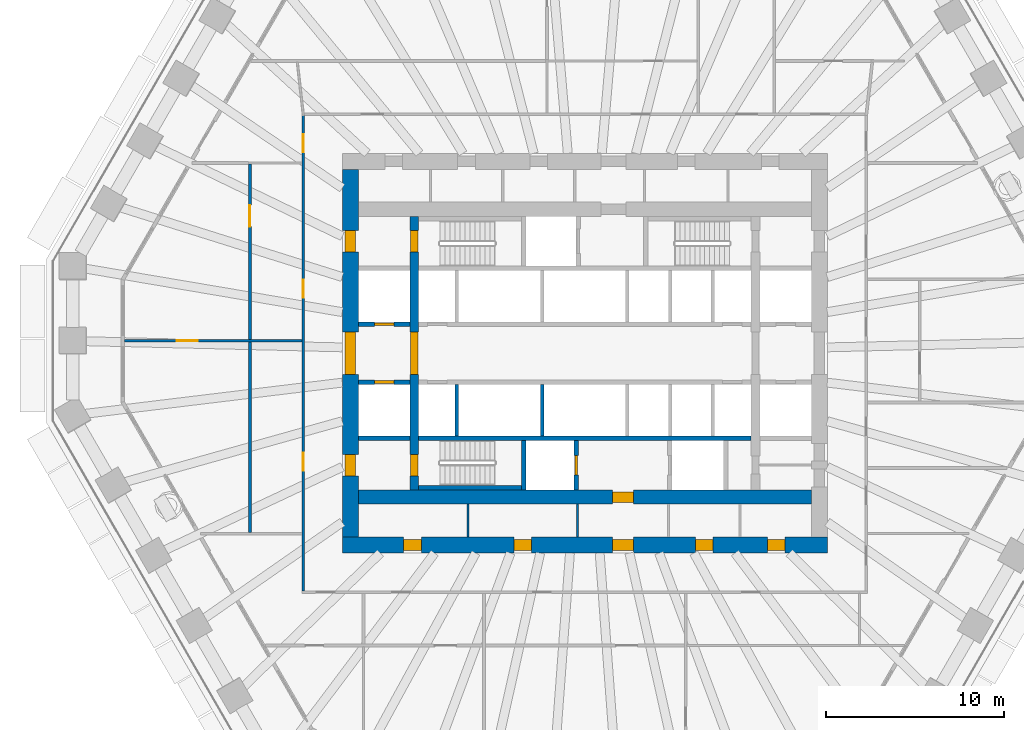
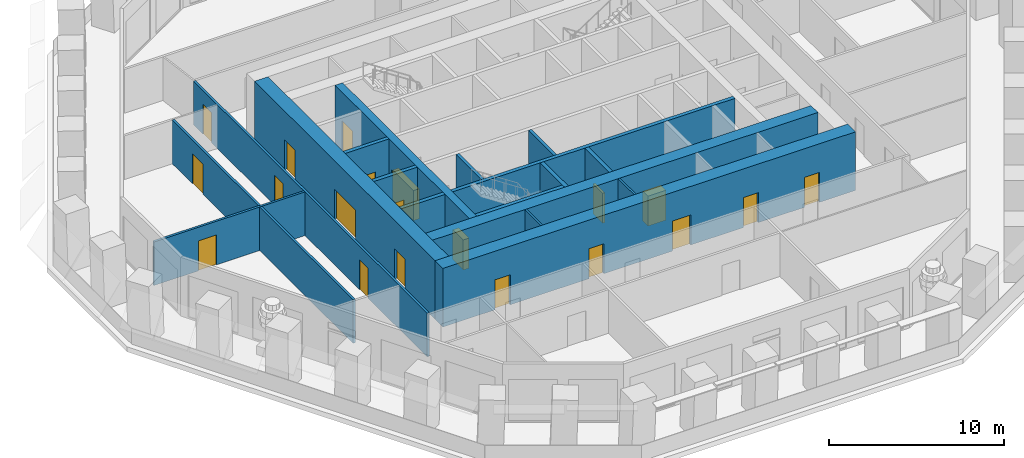
# One storey, part 4 of 13: 20 doors, 18 walls, 20 openings.
"""IFC4 building model written with IfcOpenShell, lengths in metres."""

from ifc_helpers import new_model, si_unit, direction, frame, frame_2d, origin, place, context, subcontext, project, spatial, rectangle, extrude, material, layer, layer_set, type_object, element, fill, save


model = new_model("IFC4")

# Units and contexts
model_context = context("Model", 3, precision=1e-05, world=origin(), true_north=direction((0.0, 1.0)))
body_context = subcontext(model_context, "Body", "Model", "MODEL_VIEW")
ifc_project = project(units=[si_unit("LENGTHUNIT", "METRE"), si_unit("AREAUNIT", "SQUARE_METRE"), si_unit("VOLUMEUNIT", "CUBIC_METRE"), si_unit("PLANEANGLEUNIT", "RADIAN"), si_unit("MASSUNIT", "GRAM", prefix="KILO")], contexts=[model_context])

# Site, building, storey
site_placement = place(None, origin())
site = spatial("IfcSite", under=ifc_project, at=site_placement, CompositionType="ELEMENT")
building_placement = place(site_placement, origin())
building = spatial("IfcBuilding", under=site, at=building_placement, Name="Frailejon Research Tower", CompositionType="ELEMENT")
storey_placement = place(building_placement, frame((0.0, 0.0, 36.60009765625)))
storey = spatial("IfcBuildingStorey", under=building, at=storey_placement, Name="L08", CompositionType="ELEMENT", Elevation=36.60009765625)

# Walls
ifc_material_1 = material(Name="Plasterboard on steel studs", Category="steel")
ifc_layer_1 = layer(ifc_material_1, 0.125)
ifc_layer_set_1 = layer_set([ifc_layer_1], Name="Core partition 125")
wall_type_1 = type_object("IfcWallType", Name="Core partition 125", PredefinedType="PARTITIONING", material=ifc_layer_set_1)
for number, where, z_axis, x_axis, name in (
    (1, (-6.581298828125, -10.35009765625, 0.0), (0.0, 0.0, 1.0), (0.0, 1.0, 0.0), "Core partition"),
    (2, (-0.41259765625, -10.35009765625, 0.0), (0.0, 0.0, 1.0), (0.0, 1.0, 0.0), "Core partition"),
):
    element("IfcWall", number, at=place(storey_placement, frame(where, z_axis=z_axis, x_axis=x_axis)), inside=storey, type_object=wall_type_1, Name=name, PredefinedType="PARTITIONING", context=body_context, shape_type="SweptSolid", body=[
        extrude(rectangle(XDim=1.85009765625, YDim=0.125, at=frame_2d((0.925048828125, 0.0))), origin(), (0.0, 0.0, 1.0), 4.099853515625),
    ])

# Wall, openings, doors
ifc_material_2 = material(Name="Concrete C70/85", Category="concrete")
ifc_layer_2 = layer(ifc_material_2, 0.5)
ifc_layer_set_2 = layer_set([ifc_layer_2], Name="Core shear wall 500 C70/85")
wall_type_2 = type_object("IfcWallType", Name="Core shear wall 500 C70/85", PredefinedType="SHEAR", material=ifc_layer_set_2)
wall_1_placement = place(storey_placement, frame((-9.60009765625, -7.699951171875, 0.0), z_axis=(0.0, 0.0, 1.0), x_axis=(0.0, 1.0, 0.0)))
wall_1 = element("IfcWall", 3, at=wall_1_placement, inside=storey, type_object=wall_type_2, Name="Core shear wall", PredefinedType="SHEAR", context=body_context, shape_type="SweptSolid", body=[
    extrude(rectangle(XDim=15.39990234375, YDim=0.5, at=frame_2d((7.699951171875, 0.0))), origin(), (0.0, 0.0, 1.0), 4.099853515625),
])
opening_1_placement = place(wall_1_placement, frame((6.5, 0.0, 0.0)))
opening_1 = element("IfcOpeningElement", 4, at=opening_1_placement, cuts=wall_1, Name="Opening D2", PredefinedType="OPENING", context=body_context, shape_type="SweptSolid", body=[
    extrude(rectangle(XDim=2.39990234375, YDim=2.10009765625, at=frame_2d((1.199951171875, 1.050048828125))), frame((0.0, 0.260009765625, 0.0), z_axis=(0.0, -1.0, 0.0), x_axis=(1.0, 0.0, 0.0)), (0.0, 0.0, 1.0), 0.52001953125),
])
opening_2_placement = place(wall_1_placement, frame((13.39990234375, 0.0, 0.0)))
opening_2 = element("IfcOpeningElement", 5, at=opening_2_placement, cuts=wall_1, Name="Opening D1", PredefinedType="OPENING", context=body_context, shape_type="SweptSolid", body=[
    extrude(rectangle(XDim=1.199951171875, YDim=2.10009765625, at=frame_2d((0.60009765625, 1.050048828125))), frame((0.0, 0.260009765625, 0.0), z_axis=(0.0, -1.0, 0.0), x_axis=(1.0, 0.0, 0.0)), (0.0, 0.0, 1.0), 0.52001953125),
])
opening_3_placement = place(wall_1_placement, frame((0.800048828125, 0.0, 0.0)))
opening_3 = element("IfcOpeningElement", 6, at=opening_3_placement, cuts=wall_1, Name="Opening D1", PredefinedType="OPENING", context=body_context, shape_type="SweptSolid", body=[
    extrude(rectangle(XDim=1.199951171875, YDim=2.10009765625, at=frame_2d((0.60009765625, 1.050048828125))), frame((0.0, 0.260009765625, 0.0), z_axis=(0.0, -1.0, 0.0), x_axis=(1.0, 0.0, 0.0)), (0.0, 0.0, 1.0), 0.52001953125),
])
ifc_material_3 = material(Name="Steel", Category="steel")
door_type_1 = type_object("IfcDoorType", Name="Lobby double door", OperationType="DOUBLE_DOOR_SINGLE_SWING", PredefinedType="DOOR", material=ifc_material_3)
door_1_placement = place(opening_1_placement, origin())
door_1 = element("IfcDoor", 7, at=door_1_placement, inside=storey, type_object=door_type_1, Name="Lobby door", OperationType="DOUBLE_DOOR_SINGLE_SWING", OverallHeight=2.10009765625, OverallWidth=2.39990234375, PredefinedType="DOOR", context=body_context, shape_type="SweptSolid", body=[
    extrude(rectangle(XDim=2.39990234375, YDim=2.10009765625, at=frame_2d((1.199951171875, 1.050048828125))), frame((0.0, 0.199951171875, 0.0), z_axis=(0.0, -1.0, 0.0), x_axis=(1.0, 0.0, 0.0)), (0.0, 0.0, 1.0), 0.39990234375),
])
fill(opening_1, door_1)
ifc_material_4 = material(Name="Steel", Category="steel")
door_type_2 = type_object("IfcDoorType", Name="Stair door", OperationType="SINGLE_SWING_LEFT", PredefinedType="DOOR", material=ifc_material_4)
door_2_placement = place(opening_2_placement, origin())
door_2 = element("IfcDoor", 8, at=door_2_placement, inside=storey, type_object=door_type_2, Name="Stair door ST1", OperationType="SINGLE_SWING_RIGHT", OverallHeight=2.10009765625, OverallWidth=1.199951171875, PredefinedType="DOOR", context=body_context, shape_type="SweptSolid", body=[
    extrude(rectangle(XDim=1.199951171875, YDim=2.10009765625, at=frame_2d((0.60009765625, 1.050048828125))), frame((0.0, 0.199951171875, 0.0), z_axis=(0.0, -1.0, 0.0), x_axis=(1.0, 0.0, 0.0)), (0.0, 0.0, 1.0), 0.39990234375),
])
fill(opening_2, door_2)
door_3_placement = place(opening_3_placement, origin())
door_3 = element("IfcDoor", 9, at=door_3_placement, inside=storey, type_object=door_type_2, Name="Stair door ST2", OperationType="SINGLE_SWING_RIGHT", OverallHeight=2.10009765625, OverallWidth=1.199951171875, PredefinedType="DOOR", context=body_context, shape_type="SweptSolid", body=[
    extrude(rectangle(XDim=1.199951171875, YDim=2.10009765625, at=frame_2d((0.60009765625, 1.050048828125))), frame((0.0, 0.199951171875, 0.0), z_axis=(0.0, -1.0, 0.0), x_axis=(1.0, 0.0, 0.0)), (0.0, 0.0, 1.0), 0.39990234375),
])
fill(opening_3, door_3)

# Wall, opening, door
ifc_material_5 = material(Name="Concrete C70/85", Category="concrete")
ifc_layer_3 = layer(ifc_material_5, 0.800048828125)
ifc_layer_set_3 = layer_set([ifc_layer_3], Name="Core shear wall 800 C70/85")
wall_type_3 = type_object("IfcWallType", Name="Core shear wall 800 C70/85", PredefinedType="SHEAR", material=ifc_layer_set_3)
wall_2_placement = place(storey_placement, frame((-12.75, -8.10009765625, 0.0), z_axis=(0.0, 0.0, 1.0), x_axis=(1.0, 0.0, 0.0)))
wall_2 = element("IfcWall", 10, at=wall_2_placement, inside=storey, type_object=wall_type_3, Name="Core shear wall", PredefinedType="SHEAR", context=body_context, shape_type="SweptSolid", body=[
    extrude(rectangle(XDim=25.5, YDim=0.800048828125, at=frame_2d((12.75, 0.0))), origin(), (0.0, 0.0, 1.0), 4.099853515625),
])
opening_4_placement = place(wall_2_placement, frame((14.300048828125, 0.0, 0.0)))
opening_4 = element("IfcOpeningElement", 11, at=opening_4_placement, cuts=wall_2, Name="Opening D3", PredefinedType="OPENING", context=body_context, shape_type="SweptSolid", body=[
    extrude(rectangle(XDim=1.199951171875, YDim=2.10009765625, at=frame_2d((0.60009765625, 1.050048828125))), frame((0.0, 0.409912109375, 0.0), z_axis=(0.0, -1.0, 0.0), x_axis=(1.0, 0.0, 0.0)), (0.0, 0.0, 1.0), 0.820068359375),
])
ifc_material_6 = material(Name="Steel", Category="steel")
door_type_3 = type_object("IfcDoorType", Name="Firefighting lobby door", OperationType="SINGLE_SWING_LEFT", PredefinedType="DOOR", material=ifc_material_6)
door_4_placement = place(opening_4_placement, origin())
door_4 = element("IfcDoor", 12, at=door_4_placement, inside=storey, type_object=door_type_3, Name="Firefighting lobby door", OperationType="SINGLE_SWING_RIGHT", OverallHeight=2.10009765625, OverallWidth=1.199951171875, PredefinedType="DOOR", context=body_context, shape_type="SweptSolid", body=[
    extrude(rectangle(XDim=1.199951171875, YDim=2.10009765625, at=frame_2d((0.60009765625, 1.050048828125))), frame((0.0, 0.300048828125, 0.0), z_axis=(0.0, -1.0, 0.0), x_axis=(1.0, 0.0, 0.0)), (0.0, 0.0, 1.0), 0.60009765625),
])
fill(opening_4, door_4)

# Wall, openings, doors
ifc_material_7 = material(Name="Concrete C70/85", Category="concrete")
ifc_layer_4 = layer(ifc_material_7, 0.89990234375)
ifc_layer_set_4 = layer_set([ifc_layer_4], Name="Core shear wall 900 C70/85")
wall_type_4 = type_object("IfcWallType", Name="Core shear wall 900 C70/85", PredefinedType="SHEAR", material=ifc_layer_set_4)
wall_3_placement = place(storey_placement, frame((-13.64990234375, -10.800048828125, 0.0), z_axis=(0.0, 0.0, 1.0), x_axis=(1.0, 0.0, 0.0)))
wall_3 = element("IfcWall", 13, at=wall_3_placement, inside=storey, type_object=wall_type_4, Name="Core shear wall", PredefinedType="SHEAR", context=body_context, shape_type="SweptSolid", body=[
    extrude(rectangle(XDim=27.2998046875, YDim=0.89990234375, at=frame_2d((13.64990234375, 0.0))), origin(), (0.0, 0.0, 1.0), 4.099853515625),
])
opening_5_placement = place(wall_3_placement, frame((3.453125, 0.0, 0.0)))
opening_5 = element("IfcOpeningElement", 14, at=opening_5_placement, cuts=wall_3, Name="Opening D4", PredefinedType="OPENING", context=body_context, shape_type="SweptSolid", body=[
    extrude(rectangle(XDim=1.0, YDim=2.10009765625, at=frame_2d((0.5, 1.050048828125))), frame((0.0, 0.4599609375, 0.0), z_axis=(0.0, -1.0, 0.0), x_axis=(1.0, 0.0, 0.0)), (0.0, 0.0, 1.0), 0.919921875),
])
opening_6_placement = place(wall_3_placement, frame((9.653076171875, 0.0, 0.0)))
opening_6 = element("IfcOpeningElement", 15, at=opening_6_placement, cuts=wall_3, Name="Opening D4", PredefinedType="OPENING", context=body_context, shape_type="SweptSolid", body=[
    extrude(rectangle(XDim=1.0, YDim=2.10009765625, at=frame_2d((0.5, 1.050048828125))), frame((0.0, 0.4599609375, 0.0), z_axis=(0.0, -1.0, 0.0), x_axis=(1.0, 0.0, 0.0)), (0.0, 0.0, 1.0), 0.919921875),
])
opening_7_placement = place(wall_3_placement, frame((19.871826171875, 0.0, 0.0)))
opening_7 = element("IfcOpeningElement", 16, at=opening_7_placement, cuts=wall_3, Name="Opening D4", PredefinedType="OPENING", context=body_context, shape_type="SweptSolid", body=[
    extrude(rectangle(XDim=1.0, YDim=2.10009765625, at=frame_2d((0.5, 1.050048828125))), frame((0.0, 0.4599609375, 0.0), z_axis=(0.0, -1.0, 0.0), x_axis=(1.0, 0.0, 0.0)), (0.0, 0.0, 1.0), 0.919921875),
])
opening_8_placement = place(wall_3_placement, frame((23.921875, 0.0, 0.0)))
opening_8 = element("IfcOpeningElement", 17, at=opening_8_placement, cuts=wall_3, Name="Opening D4", PredefinedType="OPENING", context=body_context, shape_type="SweptSolid", body=[
    extrude(rectangle(XDim=1.0, YDim=2.10009765625, at=frame_2d((0.5, 1.050048828125))), frame((0.0, 0.4599609375, 0.0), z_axis=(0.0, -1.0, 0.0), x_axis=(1.0, 0.0, 0.0)), (0.0, 0.0, 1.0), 0.919921875),
])
opening_9_placement = place(wall_3_placement, frame((15.199951171875, 0.0, 0.0)))
opening_9 = element("IfcOpeningElement", 18, at=opening_9_placement, cuts=wall_3, Name="Opening D3", PredefinedType="OPENING", context=body_context, shape_type="SweptSolid", body=[
    extrude(rectangle(XDim=1.199951171875, YDim=2.10009765625, at=frame_2d((0.60009765625, 1.050048828125))), frame((0.0, 0.4599609375, 0.0), z_axis=(0.0, -1.0, 0.0), x_axis=(1.0, 0.0, 0.0)), (0.0, 0.0, 1.0), 0.919921875),
])
door_5_placement = place(opening_9_placement, origin())
door_5 = element("IfcDoor", 19, at=door_5_placement, inside=storey, type_object=door_type_3, Name="Passage door", OperationType="SINGLE_SWING_LEFT", OverallHeight=2.10009765625, OverallWidth=1.199951171875, PredefinedType="DOOR", context=body_context, shape_type="SweptSolid", body=[
    extrude(rectangle(XDim=1.199951171875, YDim=2.10009765625, at=frame_2d((0.60009765625, 1.050048828125))), frame((0.0, 0.300048828125, 0.0), z_axis=(0.0, -1.0, 0.0), x_axis=(1.0, 0.0, 0.0)), (0.0, 0.0, 1.0), 0.60009765625),
])
fill(opening_9, door_5)
ifc_material_8 = material(Name="Steel", Category="steel")
door_type_4 = type_object("IfcDoorType", Name="Service door", OperationType="SINGLE_SWING_LEFT", PredefinedType="DOOR", material=ifc_material_8)
door_6_placement = place(opening_5_placement, origin())
door_6 = element("IfcDoor", 20, at=door_6_placement, inside=storey, type_object=door_type_4, Name="Room door", OperationType="SINGLE_SWING_LEFT", OverallHeight=2.10009765625, OverallWidth=1.0, PredefinedType="DOOR", context=body_context, shape_type="SweptSolid", body=[
    extrude(rectangle(XDim=1.0, YDim=2.10009765625, at=frame_2d((0.5, 1.050048828125))), frame((0.0, 0.300048828125, 0.0), z_axis=(0.0, -1.0, 0.0), x_axis=(1.0, 0.0, 0.0)), (0.0, 0.0, 1.0), 0.60009765625),
])
fill(opening_5, door_6)
door_7_placement = place(opening_6_placement, origin())
door_7 = element("IfcDoor", 21, at=door_7_placement, inside=storey, type_object=door_type_4, Name="Room door", OperationType="SINGLE_SWING_RIGHT", OverallHeight=2.10009765625, OverallWidth=1.0, PredefinedType="DOOR", context=body_context, shape_type="SweptSolid", body=[
    extrude(rectangle(XDim=1.0, YDim=2.10009765625, at=frame_2d((0.5, 1.050048828125))), frame((0.0, 0.300048828125, 0.0), z_axis=(0.0, -1.0, 0.0), x_axis=(1.0, 0.0, 0.0)), (0.0, 0.0, 1.0), 0.60009765625),
])
fill(opening_6, door_7)
door_8_placement = place(opening_7_placement, origin())
door_8 = element("IfcDoor", 22, at=door_8_placement, inside=storey, type_object=door_type_4, Name="Room door", OperationType="SINGLE_SWING_LEFT", OverallHeight=2.10009765625, OverallWidth=1.0, PredefinedType="DOOR", context=body_context, shape_type="SweptSolid", body=[
    extrude(rectangle(XDim=1.0, YDim=2.10009765625, at=frame_2d((0.5, 1.050048828125))), frame((0.0, 0.300048828125, 0.0), z_axis=(0.0, -1.0, 0.0), x_axis=(1.0, 0.0, 0.0)), (0.0, 0.0, 1.0), 0.60009765625),
])
fill(opening_7, door_8)
door_9_placement = place(opening_8_placement, origin())
door_9 = element("IfcDoor", 23, at=door_9_placement, inside=storey, type_object=door_type_4, Name="Room door", OperationType="SINGLE_SWING_RIGHT", OverallHeight=2.10009765625, OverallWidth=1.0, PredefinedType="DOOR", context=body_context, shape_type="SweptSolid", body=[
    extrude(rectangle(XDim=1.0, YDim=2.10009765625, at=frame_2d((0.5, 1.050048828125))), frame((0.0, 0.300048828125, 0.0), z_axis=(0.0, -1.0, 0.0), x_axis=(1.0, 0.0, 0.0)), (0.0, 0.0, 1.0), 0.60009765625),
])
fill(opening_8, door_9)

wall_4_placement = place(storey_placement, frame((-13.199951171875, -10.35009765625, 0.0), z_axis=(0.0, 0.0, 1.0), x_axis=(0.0, 1.0, 0.0)))
wall_4 = element("IfcWall", 24, at=wall_4_placement, inside=storey, type_object=wall_type_4, Name="Core shear wall", PredefinedType="SHEAR", context=body_context, shape_type="SweptSolid", body=[
    extrude(rectangle(XDim=20.7001953125, YDim=0.89990234375, at=frame_2d((10.35009765625, 0.0))), origin(), (0.0, 0.0, 1.0), 4.099853515625),
])
opening_10_placement = place(wall_4_placement, frame((9.14990234375, 0.0, 0.0)))
opening_10 = element("IfcOpeningElement", 25, at=opening_10_placement, cuts=wall_4, Name="Opening D2", PredefinedType="OPENING", context=body_context, shape_type="SweptSolid", body=[
    extrude(rectangle(XDim=2.39990234375, YDim=2.10009765625, at=frame_2d((1.199951171875, 1.050048828125))), frame((0.0, 0.4599609375, 0.0), z_axis=(0.0, -1.0, 0.0), x_axis=(1.0, 0.0, 0.0)), (0.0, 0.0, 1.0), 0.919921875),
])
opening_11_placement = place(wall_4_placement, frame((16.050048828125, 0.0, 0.0)))
opening_11 = element("IfcOpeningElement", 26, at=opening_11_placement, cuts=wall_4, Name="Opening D7", PredefinedType="OPENING", context=body_context, shape_type="SweptSolid", body=[
    extrude(rectangle(XDim=1.199951171875, YDim=2.10009765625, at=frame_2d((0.60009765625, 1.050048828125))), frame((0.0, 0.4599609375, 0.0), z_axis=(0.0, -1.0, 0.0), x_axis=(1.0, 0.0, 0.0)), (0.0, 0.0, 1.0), 0.919921875),
])
opening_12_placement = place(wall_4_placement, frame((3.449951171875, 0.0, 0.0)))
opening_12 = element("IfcOpeningElement", 27, at=opening_12_placement, cuts=wall_4, Name="Opening D7", PredefinedType="OPENING", context=body_context, shape_type="SweptSolid", body=[
    extrude(rectangle(XDim=1.199951171875, YDim=2.10009765625, at=frame_2d((0.60009765625, 1.050048828125))), frame((0.0, 0.4599609375, 0.0), z_axis=(0.0, -1.0, 0.0), x_axis=(1.0, 0.0, 0.0)), (0.0, 0.0, 1.0), 0.919921875),
])
door_10_placement = place(opening_10_placement, origin())
door_10 = element("IfcDoor", 28, at=door_10_placement, inside=storey, type_object=door_type_1, Name="Lobby door", OperationType="DOUBLE_DOOR_SINGLE_SWING", OverallHeight=2.10009765625, OverallWidth=2.39990234375, PredefinedType="DOOR", context=body_context, shape_type="SweptSolid", body=[
    extrude(rectangle(XDim=2.39990234375, YDim=2.10009765625, at=frame_2d((1.199951171875, 1.050048828125))), frame((0.0, 0.300048828125, 0.0), z_axis=(0.0, -1.0, 0.0), x_axis=(1.0, 0.0, 0.0)), (0.0, 0.0, 1.0), 0.60009765625),
])
fill(opening_10, door_10)
ifc_material_9 = material(Name="Steel", Category="steel")
door_type_5 = type_object("IfcDoorType", Name="Stair exit door", OperationType="SINGLE_SWING_LEFT", PredefinedType="DOOR", material=ifc_material_9)
door_11_placement = place(opening_11_placement, origin())
door_11 = element("IfcDoor", 29, at=door_11_placement, inside=storey, type_object=door_type_5, Name="Stair exit door ST1", OperationType="SINGLE_SWING_LEFT", OverallHeight=2.10009765625, OverallWidth=1.199951171875, PredefinedType="DOOR", context=body_context, shape_type="SweptSolid", body=[
    extrude(rectangle(XDim=1.199951171875, YDim=2.10009765625, at=frame_2d((0.60009765625, 1.050048828125))), frame((0.0, 0.300048828125, 0.0), z_axis=(0.0, -1.0, 0.0), x_axis=(1.0, 0.0, 0.0)), (0.0, 0.0, 1.0), 0.60009765625),
])
fill(opening_11, door_11)
door_12_placement = place(opening_12_placement, origin())
door_12 = element("IfcDoor", 30, at=door_12_placement, inside=storey, type_object=door_type_5, Name="Stair exit door ST2", OperationType="SINGLE_SWING_LEFT", OverallHeight=2.10009765625, OverallWidth=1.199951171875, PredefinedType="DOOR", context=body_context, shape_type="SweptSolid", body=[
    extrude(rectangle(XDim=1.199951171875, YDim=2.10009765625, at=frame_2d((0.60009765625, 1.050048828125))), frame((0.0, 0.300048828125, 0.0), z_axis=(0.0, -1.0, 0.0), x_axis=(1.0, 0.0, 0.0)), (0.0, 0.0, 1.0), 0.60009765625),
])
fill(opening_12, door_12)

ifc_material_10 = material(Name="Gypsum board and masonry partition", Category="masonry")
ifc_layer_5 = layer(ifc_material_10, 0.14990234375)
ifc_layer_set_5 = layer_set([ifc_layer_5], Name="Corridor wall EI 60, gypsum on steel studs 150")
wall_type_5 = type_object("IfcWallType", Name="Corridor wall EI 60, gypsum on steel studs 150", PredefinedType="PARTITIONING", material=ifc_layer_set_5)
wall_5_placement = place(storey_placement, frame((-15.85009765625, -13.375, 0.0), z_axis=(0.0, 0.0, 1.0), x_axis=(0.0, 1.0, 0.0)))
wall_5 = element("IfcWall", 31, at=wall_5_placement, inside=storey, type_object=wall_type_5, Name="T:IW:L08:003", PredefinedType="PARTITIONING", context=body_context, shape_type="SweptSolid", body=[
    extrude(rectangle(XDim=26.77490234375, YDim=0.14990234375, at=frame_2d((13.387451171875, 0.0))), origin(), (0.0, 0.0, 1.0), 3.0498046875),
])
opening_13_placement = place(wall_5_placement, frame((24.693115234375, 0.0, 0.0)))
opening_13 = element("IfcOpeningElement", 32, at=opening_13_placement, cuts=wall_5, Name="Opening D1356", PredefinedType="OPENING", context=body_context, shape_type="SweptSolid", body=[
    extrude(rectangle(XDim=1.0, YDim=2.10009765625, at=frame_2d((0.5, 1.050048828125))), frame((0.0, 0.0849609375, 0.0), z_axis=(0.0, -1.0, 0.0), x_axis=(1.0, 0.0, 0.0)), (0.0, 0.0, 1.0), 0.169921875),
])
opening_14_placement = place(wall_5_placement, frame((16.495361328125, 0.0, 0.0)))
opening_14 = element("IfcOpeningElement", 33, at=opening_14_placement, cuts=wall_5, Name="Opening D1357", PredefinedType="OPENING", context=body_context, shape_type="SweptSolid", body=[
    extrude(rectangle(XDim=1.0, YDim=2.10009765625, at=frame_2d((0.5, 1.050048828125))), frame((0.0, 0.0849609375, 0.0), z_axis=(0.0, -1.0, 0.0), x_axis=(1.0, 0.0, 0.0)), (0.0, 0.0, 1.0), 0.169921875),
])
opening_15_placement = place(wall_5_placement, frame((6.771484375, 0.0, 0.0)))
opening_15 = element("IfcOpeningElement", 34, at=opening_15_placement, cuts=wall_5, Name="Opening D1360", PredefinedType="OPENING", context=body_context, shape_type="SweptSolid", body=[
    extrude(rectangle(XDim=1.0, YDim=2.10009765625, at=frame_2d((0.5, 1.050048828125))), frame((0.0, 0.0849609375, 0.0), z_axis=(0.0, -1.0, 0.0), x_axis=(1.0, 0.0, 0.0)), (0.0, 0.0, 1.0), 0.169921875),
])
ifc_material_11 = material(Name="Timber door leaf", Category="wood")
door_type_6 = type_object("IfcDoorType", Name="Door laboratory, timber, vision panel 1000", OperationType="NOTDEFINED", PredefinedType="DOOR", material=ifc_material_11)
door_13_placement = place(opening_15_placement, origin())
door_13 = element("IfcDoor", 35, at=door_13_placement, inside=storey, type_object=door_type_6, Name="D1360", OperationType="SINGLE_SWING_LEFT", OverallHeight=2.10009765625, OverallWidth=1.0, PredefinedType="DOOR", context=body_context, shape_type="SweptSolid", body=[
    extrude(rectangle(XDim=1.0, YDim=2.10009765625, at=frame_2d((0.5, 1.050048828125))), frame((0.0, 0.02490234375, 0.0), z_axis=(0.0, -1.0, 0.0), x_axis=(1.0, 0.0, 0.0)), (0.0, 0.0, 1.0), 0.050048828125),
])
fill(opening_15, door_13)
ifc_material_12 = material(Name="Timber door leaf", Category="wood")
door_type_7 = type_object("IfcDoorType", Name="Door single leaf, timber, steel frame 1000", OperationType="NOTDEFINED", PredefinedType="DOOR", material=ifc_material_12)
door_14_placement = place(opening_13_placement, origin())
door_14 = element("IfcDoor", 36, at=door_14_placement, inside=storey, type_object=door_type_7, Name="D1356", OperationType="SINGLE_SWING_LEFT", OverallHeight=2.10009765625, OverallWidth=1.0, PredefinedType="DOOR", context=body_context, shape_type="SweptSolid", body=[
    extrude(rectangle(XDim=1.0, YDim=2.10009765625, at=frame_2d((0.5, 1.050048828125))), frame((0.0, 0.02490234375, 0.0), z_axis=(0.0, -1.0, 0.0), x_axis=(1.0, 0.0, 0.0)), (0.0, 0.0, 1.0), 0.050048828125),
])
fill(opening_13, door_14)
door_15_placement = place(opening_14_placement, origin())
door_15 = element("IfcDoor", 37, at=door_15_placement, inside=storey, type_object=door_type_7, Name="D1357", OperationType="SINGLE_SWING_RIGHT", OverallHeight=2.10009765625, OverallWidth=1.0, PredefinedType="DOOR", context=body_context, shape_type="SweptSolid", body=[
    extrude(rectangle(XDim=1.0, YDim=2.10009765625, at=frame_2d((0.5, 1.050048828125))), frame((0.0, 0.02490234375, 0.0), z_axis=(0.0, -1.0, 0.0), x_axis=(1.0, 0.0, 0.0)), (0.0, 0.0, 1.0), 0.050048828125),
])
fill(opening_14, door_15)

# Wall, opening, door
ifc_material_13 = material(Name="Gypsum board and masonry partition", Category="masonry")
ifc_layer_6 = layer(ifc_material_13, 0.14990234375)
ifc_layer_set_6 = layer_set([ifc_layer_6], Name="Laboratory partition, blockwork 150")
wall_type_6 = type_object("IfcWallType", Name="Laboratory partition, blockwork 150", PredefinedType="PARTITIONING", material=ifc_layer_set_6)
wall_6_placement = place(storey_placement, frame((-18.85009765625, -10.07958984375, 0.0), z_axis=(0.0, 0.0, 1.0), x_axis=(0.0, 1.0, 0.0)))
wall_6 = element("IfcWall", 38, at=wall_6_placement, inside=storey, type_object=wall_type_6, Name="T:IW:L08:016", PredefinedType="PARTITIONING", context=body_context, shape_type="SweptSolid", body=[
    extrude(rectangle(XDim=20.7373046875, YDim=0.14990234375, at=frame_2d((10.36865234375, 0.0))), origin(), (0.0, 0.0, 1.0), 3.0498046875),
])
opening_16_placement = place(wall_6_placement, frame((17.2080078125, 0.0, 0.0)))
opening_16 = element("IfcOpeningElement", 39, at=opening_16_placement, cuts=wall_6, Name="Opening D1358", PredefinedType="OPENING", context=body_context, shape_type="SweptSolid", body=[
    extrude(rectangle(XDim=1.199951171875, YDim=2.10009765625, at=frame_2d((0.60009765625, 1.050048828125))), frame((0.0, 0.0849609375, 0.0), z_axis=(0.0, -1.0, 0.0), x_axis=(1.0, 0.0, 0.0)), (0.0, 0.0, 1.0), 0.169921875),
])
ifc_material_14 = material(Name="Timber door leaf", Category="wood")
door_type_8 = type_object("IfcDoorType", Name="Door laboratory, timber, vision panel 1200", OperationType="NOTDEFINED", PredefinedType="DOOR", material=ifc_material_14)
door_16_placement = place(opening_16_placement, origin())
door_16 = element("IfcDoor", 40, at=door_16_placement, inside=storey, type_object=door_type_8, Name="D1358", OperationType="DOUBLE_DOOR_SINGLE_SWING", OverallHeight=2.10009765625, OverallWidth=1.199951171875, PredefinedType="DOOR", context=body_context, shape_type="SweptSolid", body=[
    extrude(rectangle(XDim=1.199951171875, YDim=2.10009765625, at=frame_2d((0.60009765625, 1.050048828125))), frame((0.0, 0.02490234375, 0.0), z_axis=(0.0, -1.0, 0.0), x_axis=(1.0, 0.0, 0.0)), (0.0, 0.0, 1.0), 0.050048828125),
])
fill(opening_16, door_16)

wall_7_placement = place(storey_placement, frame((-25.912109375, 0.69140625, 0.0), z_axis=(0.0, 0.0, 1.0), x_axis=(1.0, 0.0, 0.0)))
wall_7 = element("IfcWall", 41, at=wall_7_placement, inside=storey, type_object=wall_type_6, Name="T:IW:L08:017", PredefinedType="PARTITIONING", context=body_context, shape_type="SweptSolid", body=[
    extrude(rectangle(XDim=9.987060546875, YDim=0.14990234375, at=frame_2d((4.99365234375, 0.0))), origin(), (0.0, 0.0, 1.0), 3.0498046875),
])
opening_17_placement = place(wall_7_placement, frame((2.930908203125, 0.0, 0.0)))
opening_17 = element("IfcOpeningElement", 42, at=opening_17_placement, cuts=wall_7, Name="Opening D1359", PredefinedType="OPENING", context=body_context, shape_type="SweptSolid", body=[
    extrude(rectangle(XDim=1.199951171875, YDim=2.10009765625, at=frame_2d((0.60009765625, 1.050048828125))), frame((0.0, 0.0849609375, 0.0), z_axis=(0.0, -1.0, 0.0), x_axis=(1.0, 0.0, 0.0)), (0.0, 0.0, 1.0), 0.169921875),
])
door_17_placement = place(opening_17_placement, origin())
door_17 = element("IfcDoor", 43, at=door_17_placement, inside=storey, type_object=door_type_8, Name="D1359", OperationType="DOUBLE_DOOR_SINGLE_SWING", OverallHeight=2.10009765625, OverallWidth=1.199951171875, PredefinedType="DOOR", context=body_context, shape_type="SweptSolid", body=[
    extrude(rectangle(XDim=1.199951171875, YDim=2.10009765625, at=frame_2d((0.60009765625, 1.050048828125))), frame((0.0, 0.02490234375, 0.0), z_axis=(0.0, -1.0, 0.0), x_axis=(1.0, 0.0, 0.0)), (0.0, 0.0, 1.0), 0.050048828125),
])
fill(opening_17, door_17)

# Walls
ifc_material_15 = material(Name="Concrete C70/85", Category="concrete")
ifc_layer_7 = layer(ifc_material_15, 0.199951171875)
ifc_layer_set_7 = layer_set([ifc_layer_7], Name="Shaft wall 200 C70/85")
wall_type_7 = type_object("IfcWallType", Name="Shaft wall 200 C70/85", PredefinedType="SOLIDWALL", material=ifc_layer_set_7)
for number, where, z_axis, x_axis, name in (
    (44, (-7.199951171875, -4.64990234375, 0.0), (0.0, 0.0, 1.0), (0.0, 1.0, 0.0), "Shaft wall"),
    (45, (-2.39990234375, -4.64990234375, 0.0), (0.0, 0.0, 1.0), (0.0, 1.0, 0.0), "Shaft wall"),
):
    element("IfcWall", number, at=place(storey_placement, frame(where, z_axis=z_axis, x_axis=x_axis)), inside=storey, type_object=wall_type_7, Name=name, PredefinedType="SOLIDWALL", context=body_context, shape_type="SweptSolid", body=[
        extrude(rectangle(XDim=2.89990234375, YDim=0.199951171875, at=frame_2d((1.449951171875, 0.0))), origin(), (0.0, 0.0, 1.0), 4.099853515625),
    ])

# Wall, opening, door
ifc_material_16 = material(Name="Concrete C70/85", Category="concrete")
ifc_layer_8 = layer(ifc_material_16, 0.25)
ifc_layer_set_8 = layer_set([ifc_layer_8], Name="Shaft wall 250 C70/85")
wall_type_8 = type_object("IfcWallType", Name="Shaft wall 250 C70/85", PredefinedType="SOLIDWALL", material=ifc_layer_set_8)
wall_8_placement = place(storey_placement, frame((-12.75, 1.625, 0.0), z_axis=(0.0, 0.0, 1.0), x_axis=(1.0, 0.0, 0.0)))
wall_8 = element("IfcWall", 46, at=wall_8_placement, inside=storey, type_object=wall_type_8, Name="Shaft wall", PredefinedType="SOLIDWALL", context=body_context, shape_type="SweptSolid", body=[
    extrude(rectangle(XDim=2.89990234375, YDim=0.25, at=frame_2d((1.449951171875, 0.0))), origin(), (0.0, 0.0, 1.0), 4.099853515625),
])
opening_18_placement = place(wall_8_placement, frame((0.89990234375, 0.0, 0.0)))
opening_18 = element("IfcOpeningElement", 47, at=opening_18_placement, cuts=wall_8, Name="Opening LD", PredefinedType="OPENING", context=body_context, shape_type="SweptSolid", body=[
    extrude(rectangle(XDim=1.10009765625, YDim=2.10009765625, at=frame_2d((0.550048828125, 1.050048828125))), frame((0.0, 0.135009765625, 0.0), z_axis=(0.0, -1.0, 0.0), x_axis=(1.0, 0.0, 0.0)), (0.0, 0.0, 1.0), 0.27001953125),
])
ifc_material_17 = material(Name="Steel", Category="steel")
door_type_9 = type_object("IfcDoorType", Name="Lift landing door", OperationType="DOUBLE_DOOR_SLIDING", PredefinedType="DOOR", material=ifc_material_17)
door_18_placement = place(opening_18_placement, origin())
door_18 = element("IfcDoor", 48, at=door_18_placement, inside=storey, type_object=door_type_9, Name="Lift landing door", OperationType="DOUBLE_DOOR_SLIDING", OverallHeight=2.10009765625, OverallWidth=1.10009765625, PredefinedType="DOOR", context=body_context, shape_type="SweptSolid", body=[
    extrude(rectangle(XDim=1.10009765625, YDim=2.10009765625, at=frame_2d((0.550048828125, 1.050048828125))), frame((0.0, 0.074951171875, 0.0), z_axis=(0.0, -1.0, 0.0), x_axis=(1.0, 0.0, 0.0)), (0.0, 0.0, 1.0), 0.14990234375),
])
fill(opening_18, door_18)

wall_9_placement = place(storey_placement, frame((-12.75, -1.625, 0.0), z_axis=(0.0, 0.0, 1.0), x_axis=(1.0, 0.0, 0.0)))
wall_9 = element("IfcWall", 49, at=wall_9_placement, inside=storey, type_object=wall_type_8, Name="Shaft wall", PredefinedType="SOLIDWALL", context=body_context, shape_type="SweptSolid", body=[
    extrude(rectangle(XDim=2.89990234375, YDim=0.25, at=frame_2d((1.449951171875, 0.0))), origin(), (0.0, 0.0, 1.0), 4.099853515625),
])
opening_19_placement = place(wall_9_placement, frame((0.89990234375, 0.0, 0.0)))
opening_19 = element("IfcOpeningElement", 50, at=opening_19_placement, cuts=wall_9, Name="Opening LD", PredefinedType="OPENING", context=body_context, shape_type="SweptSolid", body=[
    extrude(rectangle(XDim=1.10009765625, YDim=2.10009765625, at=frame_2d((0.550048828125, 1.050048828125))), frame((0.0, 0.135009765625, 0.0), z_axis=(0.0, -1.0, 0.0), x_axis=(1.0, 0.0, 0.0)), (0.0, 0.0, 1.0), 0.27001953125),
])
door_19_placement = place(opening_19_placement, origin())
door_19 = element("IfcDoor", 51, at=door_19_placement, inside=storey, type_object=door_type_9, Name="Lift landing door", OperationType="DOUBLE_DOOR_SLIDING", OverallHeight=2.10009765625, OverallWidth=1.10009765625, PredefinedType="DOOR", context=body_context, shape_type="SweptSolid", body=[
    extrude(rectangle(XDim=1.10009765625, YDim=2.10009765625, at=frame_2d((0.550048828125, 1.050048828125))), frame((0.0, 0.074951171875, 0.0), z_axis=(0.0, -1.0, 0.0), x_axis=(1.0, 0.0, 0.0)), (0.0, 0.0, 1.0), 0.14990234375),
])
fill(opening_19, door_19)

# Walls
wall_10_placement = place(storey_placement, frame((-12.75, -4.77490234375, 0.0), z_axis=(0.0, 0.0, 1.0), x_axis=(1.0, 0.0, 0.0)))
element("IfcWall", 52, at=wall_10_placement, inside=storey, type_object=wall_type_8, Name="Shaft wall", PredefinedType="SOLIDWALL", context=body_context, shape_type="SweptSolid", body=[
    extrude(rectangle(XDim=2.89990234375, YDim=0.25, at=frame_2d((1.449951171875, 0.0))), origin(), (0.0, 0.0, 1.0), 4.099853515625),
])
wall_11_placement = place(storey_placement, frame((-9.35009765625, -4.77490234375, 0.0), z_axis=(0.0, 0.0, 1.0), x_axis=(1.0, 0.0, 0.0)))
element("IfcWall", 53, at=wall_11_placement, inside=storey, type_object=wall_type_8, Name="Shaft wall", PredefinedType="SOLIDWALL", context=body_context, shape_type="SweptSolid", body=[
    extrude(rectangle(XDim=18.7001953125, YDim=0.25, at=frame_2d((9.35009765625, 0.0))), origin(), (0.0, 0.0, 1.0), 4.099853515625),
])
wall_12_placement = place(storey_placement, frame((-9.35009765625, -7.574951171875, 0.0), z_axis=(0.0, 0.0, 1.0), x_axis=(1.0, 0.0, 0.0)))
element("IfcWall", 54, at=wall_12_placement, inside=storey, type_object=wall_type_8, Name="Shaft wall", PredefinedType="SOLIDWALL", context=body_context, shape_type="SweptSolid", body=[
    extrude(rectangle(XDim=5.800048828125, YDim=0.25, at=frame_2d((2.89990234375, 0.0))), origin(), (0.0, 0.0, 1.0), 4.099853515625),
])
wall_13_placement = place(storey_placement, frame((-3.425048828125, -7.699951171875, 0.0), z_axis=(0.0, 0.0, 1.0), x_axis=(0.0, 1.0, 0.0)))
element("IfcWall", 55, at=wall_13_placement, inside=storey, type_object=wall_type_8, Name="Shaft wall", PredefinedType="SOLIDWALL", context=body_context, shape_type="SweptSolid", body=[
    extrude(rectangle(XDim=2.800048828125, YDim=0.25, at=frame_2d((1.39990234375, 0.0))), origin(), (0.0, 0.0, 1.0), 4.099853515625),
])

# Wall, opening, door
wall_14_placement = place(storey_placement, frame((-0.47509765625, -7.699951171875, 0.0), z_axis=(0.0, 0.0, 1.0), x_axis=(0.0, 1.0, 0.0)))
wall_14 = element("IfcWall", 56, at=wall_14_placement, inside=storey, type_object=wall_type_8, Name="Shaft wall", PredefinedType="SOLIDWALL", context=body_context, shape_type="SweptSolid", body=[
    extrude(rectangle(XDim=2.800048828125, YDim=0.25, at=frame_2d((1.39990234375, 0.0))), origin(), (0.0, 0.0, 1.0), 4.099853515625),
])
opening_20_placement = place(wall_14_placement, frame((0.85009765625, 0.0, 0.0)))
opening_20 = element("IfcOpeningElement", 57, at=opening_20_placement, cuts=wall_14, Name="Opening LD", PredefinedType="OPENING", context=body_context, shape_type="SweptSolid", body=[
    extrude(rectangle(XDim=1.10009765625, YDim=2.10009765625, at=frame_2d((0.550048828125, 1.050048828125))), frame((0.0, 0.135009765625, 0.0), z_axis=(0.0, -1.0, 0.0), x_axis=(1.0, 0.0, 0.0)), (0.0, 0.0, 1.0), 0.27001953125),
])
door_20_placement = place(opening_20_placement, origin())
door_20 = element("IfcDoor", 58, at=door_20_placement, inside=storey, type_object=door_type_9, Name="Lift landing door", OperationType="DOUBLE_DOOR_SLIDING", OverallHeight=2.10009765625, OverallWidth=1.10009765625, PredefinedType="DOOR", context=body_context, shape_type="SweptSolid", body=[
    extrude(rectangle(XDim=1.10009765625, YDim=2.10009765625, at=frame_2d((0.550048828125, 1.050048828125))), frame((0.0, 0.074951171875, 0.0), z_axis=(0.0, -1.0, 0.0), x_axis=(1.0, 0.0, 0.0)), (0.0, 0.0, 1.0), 0.14990234375),
])
fill(opening_20, door_20)

save(model, "model.ifc")
